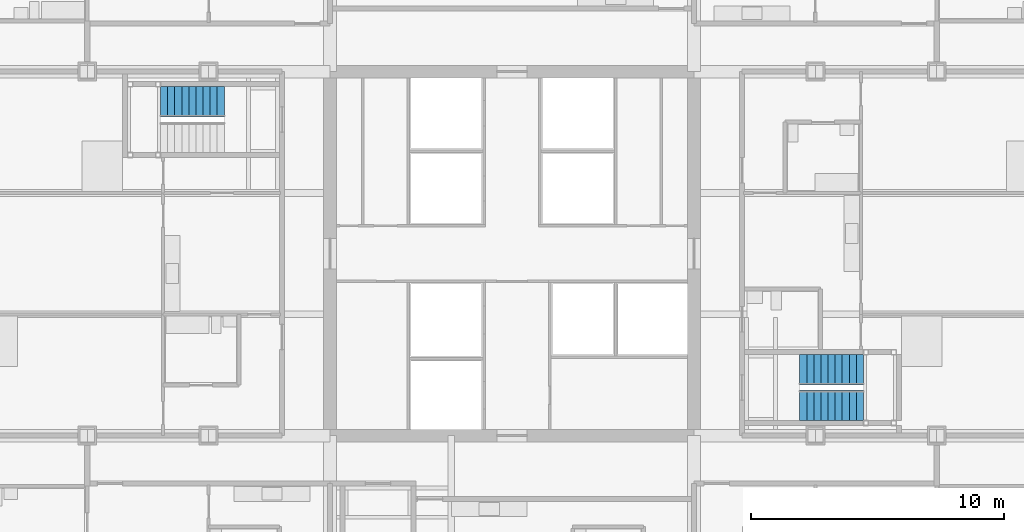
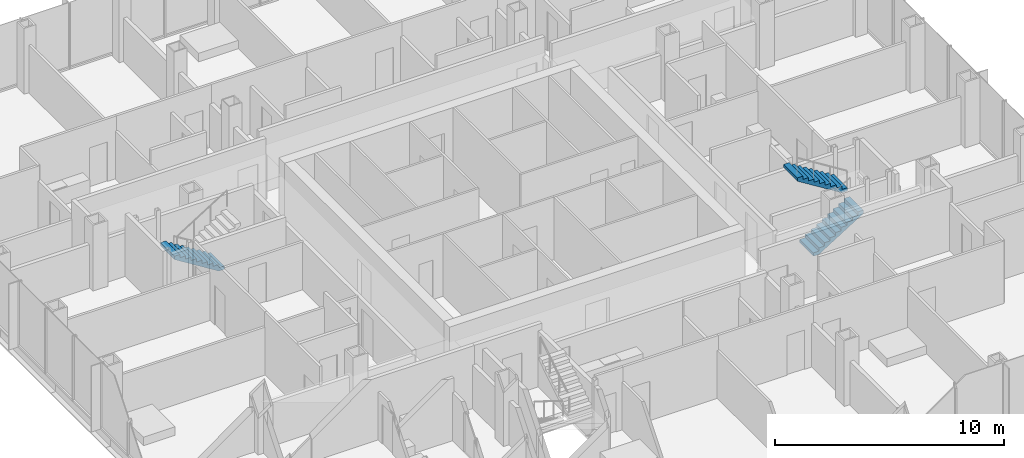
# One storey, part 18 of 21: 3 stair flights, 2 elements without a shape of their own.
"""IFC4 building model written with IfcOpenShell, lengths in metres."""

from ifc_helpers import new_model, si_unit, direction, frame, origin, place, context, subcontext, project, spatial, polyline, outline, extrude, material, type_object, element, aggregate, save


model = new_model("IFC4")

# Units and contexts
model_context = context("Model", 3, precision=1e-05, world=origin(), true_north=direction((0.0, 1.0)))
body_context = subcontext(model_context, "Body", "Model", "MODEL_VIEW")
ifc_project = project(units=[si_unit("LENGTHUNIT", "METRE"), si_unit("AREAUNIT", "SQUARE_METRE"), si_unit("VOLUMEUNIT", "CUBIC_METRE"), si_unit("PLANEANGLEUNIT", "RADIAN"), si_unit("MASSUNIT", "GRAM", prefix="KILO")], contexts=[model_context])

# Site, building, storey
site_placement = place(None, origin())
site = spatial("IfcSite", under=ifc_project, at=site_placement, CompositionType="ELEMENT")
building_placement = place(site_placement, origin())
building = spatial("IfcBuilding", under=site, at=building_placement, Name="Kvirike Care Tower", CompositionType="ELEMENT")
storey_placement = place(building_placement, frame((0.0, 0.0, 62.0)))
storey = spatial("IfcBuildingStorey", under=building, at=storey_placement, Name="L16", CompositionType="ELEMENT", Elevation=62.0)

# Stair, stair flight
ifc_material_1 = material(Name="Concrete C35/45", Category="concrete")
stair_type = type_object("IfcStairType", Name="STAIR 20 RISERS", PredefinedType="HALF_TURN_STAIR", material=ifc_material_1)
stair_1_placement = place(storey_placement, origin())
stair_1 = element("IfcStair", 1, at=stair_1_placement, inside=storey, type_object=stair_type, Name="Stair 1 L16", PredefinedType="HALF_TURN_STAIR")
ifc_material_2 = material(Name="Concrete C35/45", Category="concrete")
stair_flight_type = type_object("IfcStairFlightType", Name="FLIGHT 10 RISERS", PredefinedType="STRAIGHT", material=ifc_material_2)
stair_flight_1_placement = place(storey_placement, frame((10.219970703125, 42.0, 0.0), z_axis=(0.0, 0.0, 1.0), x_axis=(-1.0, 0.0, 0.0)))
stair_flight_1 = element("IfcStairFlight", 2, at=stair_flight_1_placement, type_object=stair_flight_type, Name="Stair S1 flight 1 L16-L17", NumberOfRisers=10, NumberOfTreads=9, PredefinedType="STRAIGHT", RiserHeight=0.175, TreadLength=0.28, context=body_context, shape_type="SweptSolid", body=[
    extrude(outline(polyline([(0.0, 0.0), (0.0, 0.175048828125), (0.280029296875, 0.175048828125), (0.280029296875, 0.35009765625), (0.56005859375, 0.35009765625), (0.56005859375, 0.52490234375), (0.840087890625, 0.52490234375), (0.840087890625, 0.699951171875), (1.1201171875, 0.699951171875), (1.1201171875, 0.875), (1.39990234375, 0.875), (1.39990234375, 1.050048828125), (1.679931640625, 1.050048828125), (1.679931640625, 1.22509765625), (1.9599609375, 1.22509765625), (1.9599609375, 1.39990234375), (2.239990234375, 1.39990234375), (2.239990234375, 1.574951171875), (2.52001953125, 1.574951171875), (2.52001953125, 1.75), (2.52001953125, 1.398193359375), (0.28271484375, 0.0), (0.0, 0.0)])), frame((0.0, 0.60009765625, 0.0), z_axis=(0.0, -1.0, 0.0), x_axis=(1.0, 0.0, 0.0)), (0.0, 0.0, 1.0), 1.199951171875),
])
aggregate(stair_1, [stair_flight_1])

# Stair, stair flights
stair_2_placement = place(storey_placement, origin())
stair_2 = element("IfcStair", 3, at=stair_2_placement, inside=storey, type_object=stair_type, Name="Stair 2 L16", PredefinedType="HALF_TURN_STAIR")
stair_flight_2_placement = place(storey_placement, frame((32.97998046875, 30.0, 0.0), z_axis=(0.0, 0.0, 1.0), x_axis=(1.0, 0.0, 0.0)))
stair_flight_2 = element("IfcStairFlight", 4, at=stair_flight_2_placement, type_object=stair_flight_type, Name="Stair S2 flight 1 L16-L17", NumberOfRisers=10, NumberOfTreads=9, PredefinedType="STRAIGHT", RiserHeight=0.175, TreadLength=0.28, context=body_context, shape_type="SweptSolid", body=[
    extrude(outline(polyline([(0.0, 0.0), (0.0, 0.175048828125), (0.280029296875, 0.175048828125), (0.280029296875, 0.35009765625), (0.56005859375, 0.35009765625), (0.56005859375, 0.52490234375), (0.840087890625, 0.52490234375), (0.840087890625, 0.699951171875), (1.1201171875, 0.699951171875), (1.1201171875, 0.875), (1.39990234375, 0.875), (1.39990234375, 1.050048828125), (1.679931640625, 1.050048828125), (1.679931640625, 1.22509765625), (1.9599609375, 1.22509765625), (1.9599609375, 1.39990234375), (2.239990234375, 1.39990234375), (2.239990234375, 1.574951171875), (2.52001953125, 1.574951171875), (2.52001953125, 1.75), (2.52001953125, 1.398193359375), (0.28271484375, 0.0), (0.0, 0.0)])), frame((0.0, 0.60009765625, 0.0), z_axis=(0.0, -1.0, 0.0), x_axis=(1.0, 0.0, 0.0)), (0.0, 0.0, 1.0), 1.199951171875),
])
stair_flight_3_placement = place(storey_placement, frame((35.5, 31.39990234375, 1.75), z_axis=(0.0, 0.0, 1.0), x_axis=(-1.0, 0.0, 0.0)))
stair_flight_3 = element("IfcStairFlight", 5, at=stair_flight_3_placement, type_object=stair_flight_type, Name="Stair S2 flight 2 L16-L17", NumberOfRisers=10, NumberOfTreads=9, PredefinedType="STRAIGHT", RiserHeight=0.175, TreadLength=0.28, context=body_context, shape_type="SweptSolid", body=[
    extrude(outline(polyline([(0.0, 0.0), (0.0, 0.175048828125), (0.280029296875, 0.175048828125), (0.280029296875, 0.35009765625), (0.56005859375, 0.35009765625), (0.56005859375, 0.52490234375), (0.840087890625, 0.52490234375), (0.840087890625, 0.699951171875), (1.1201171875, 0.699951171875), (1.1201171875, 0.875), (1.39990234375, 0.875), (1.39990234375, 1.050048828125), (1.679931640625, 1.050048828125), (1.679931640625, 1.22509765625), (1.9599609375, 1.22509765625), (1.9599609375, 1.39990234375), (2.239990234375, 1.39990234375), (2.239990234375, 1.574951171875), (2.52001953125, 1.574951171875), (2.52001953125, 1.75), (2.52001953125, 1.398193359375), (0.28271484375, 0.0), (0.0, 0.0)])), frame((0.0, 0.60009765625, 0.0), z_axis=(0.0, -1.0, 0.0), x_axis=(1.0, 0.0, 0.0)), (0.0, 0.0, 1.0), 1.199951171875),
])
aggregate(stair_2, [stair_flight_2, stair_flight_3])

save(model, "model.ifc")
